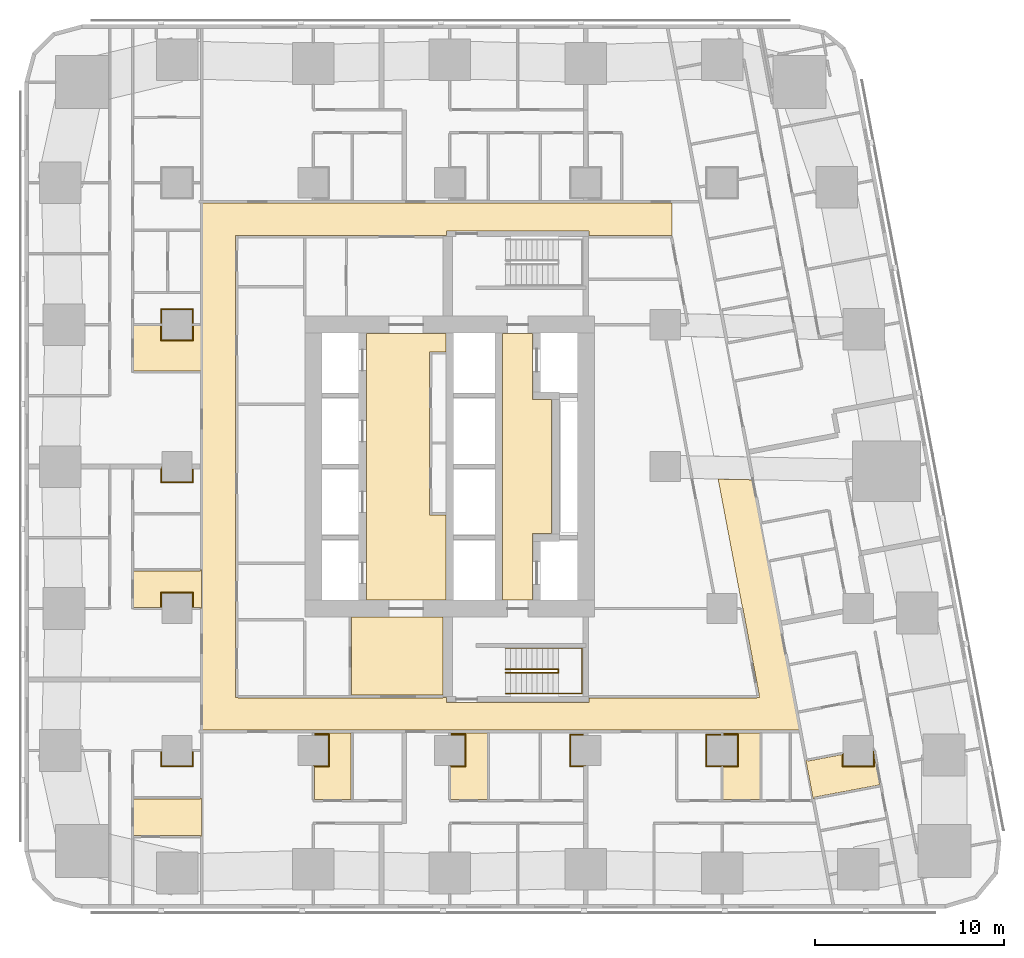
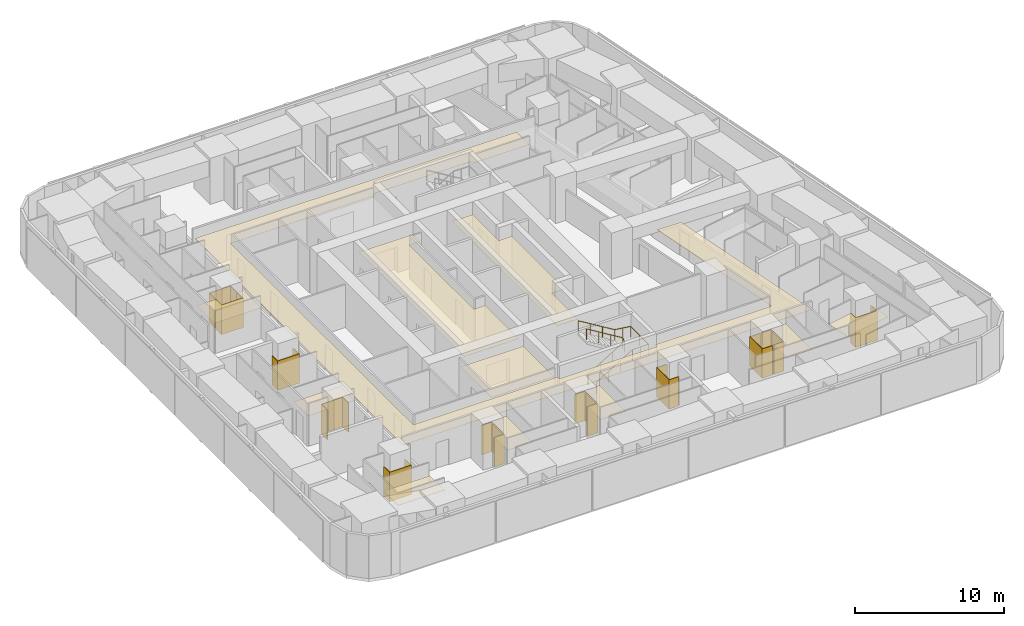
# One storey, part 15 of 17: 22 coverings, 2 railings.
"""IFC4 building model written with IfcOpenShell, lengths in metres."""

from ifc_helpers import new_model, si_unit, direction, frame, origin, origin_2d, place, context, subcontext, project, spatial, polyline, circle, outline, extrude, material, layer, layer_set, type_object, element, save


model = new_model("IFC4")

# Units and contexts
model_context = context("Model", 3, precision=1e-05, world=origin(), true_north=direction((0.0, 1.0)))
body_context = subcontext(model_context, "Body", "Model", "MODEL_VIEW")
ifc_project = project(units=[si_unit("LENGTHUNIT", "METRE"), si_unit("AREAUNIT", "SQUARE_METRE"), si_unit("VOLUMEUNIT", "CUBIC_METRE"), si_unit("PLANEANGLEUNIT", "RADIAN"), si_unit("MASSUNIT", "GRAM", prefix="KILO")], contexts=[model_context])

# Site, building, storey
site_placement = place(None, origin())
site = spatial("IfcSite", under=ifc_project, at=site_placement, CompositionType="ELEMENT")
building_placement = place(site_placement, origin())
building = spatial("IfcBuilding", under=site, at=building_placement, Name="Sheger Commons Tower", CompositionType="ELEMENT")
storey_placement = place(building_placement, frame((0.0, 0.0, 119.14990234375)))
storey = spatial("IfcBuildingStorey", under=building, at=storey_placement, Name="L30", CompositionType="ELEMENT", Elevation=119.14990234375)

# Railings
ifc_material_1 = material(Name="Steel handrail, black powder-coated", Category="steel")
railing_type = type_object("IfcRailingType", Name="HANDRAIL 900", PredefinedType="HANDRAIL", material=ifc_material_1)
railing_1_placement = place(storey_placement, frame((24.550048828125, 11.60009765625, 0.170654296875)))
element("IfcRailing", 1, at=railing_1_placement, inside=storey, type_object=railing_type, Name="Stair S1 handrail L30", PredefinedType="HANDRAIL", context=body_context, shape_type="SweptSolid", body=[
    extrude(circle(Radius=0.02392578125, at=origin_2d()), frame((0.0, 0.0, 0.8759765625), z_axis=(0.854202870247, 0.0, 0.519939858505), x_axis=(0.0, 1.0, 0.0)), (0.0, 0.0, 1.0), 3.278076171875),
    extrude(circle(Radius=0.02392578125, at=origin_2d()), frame((2.800048828125, 0.0, 2.580078125), z_axis=(0.0, 0.760631612298, 0.649183757016), x_axis=(-1.0, 0.0, 0.0)), (0.0, 0.0, 1.0), 0.262939453125),
    extrude(circle(Radius=0.02392578125, at=origin_2d()), frame((2.800048828125, 0.199951171875, 2.7509765625), z_axis=(-0.854202870247, 0.0, 0.519939858505), x_axis=(0.0, -1.0, 0.0)), (0.0, 0.0, 1.0), 3.278076171875),
    extrude(circle(Radius=0.02099609375, at=origin_2d()), origin(), (0.0, 0.0, 1.0), 0.851806640625),
    extrude(circle(Radius=0.02099609375, at=origin_2d()), frame((0.933349609375, 0.0, 0.568115234375)), (0.0, 0.0, 1.0), 0.851806640625),
    extrude(circle(Radius=0.02099609375, at=origin_2d()), frame((1.86669921875, 0.0, 1.13623046875)), (0.0, 0.0, 1.0), 0.851806640625),
    extrude(circle(Radius=0.02099609375, at=origin_2d()), frame((2.800048828125, 0.0, 1.704345703125)), (0.0, 0.0, 1.0), 0.851806640625),
    extrude(circle(Radius=0.02099609375, at=origin_2d()), frame((2.800048828125, 0.199951171875, 1.875)), (0.0, 0.0, 1.0), 0.851806640625),
    extrude(circle(Radius=0.02099609375, at=origin_2d()), frame((1.86669921875, 0.199951171875, 2.443115234375)), (0.0, 0.0, 1.0), 0.851806640625),
    extrude(circle(Radius=0.02099609375, at=origin_2d()), frame((0.933349609375, 0.199951171875, 3.01123046875)), (0.0, 0.0, 1.0), 0.851806640625),
    extrude(circle(Radius=0.02099609375, at=origin_2d()), frame((0.0, 0.199951171875, 3.579345703125)), (0.0, 0.0, 1.0), 0.851806640625),
])
railing_2_placement = place(storey_placement, frame((24.550048828125, 10.5, 0.170654296875)))
element("IfcRailing", 2, at=railing_2_placement, inside=storey, type_object=railing_type, Name="Stair S1 handrail L30", PredefinedType="HANDRAIL", context=body_context, shape_type="SweptSolid", body=[
    extrude(circle(Radius=0.02392578125, at=origin_2d()), frame((0.0, 0.0, 0.8759765625), z_axis=(0.854202870247, 0.0, 0.519939858505), x_axis=(0.0, 1.0, 0.0)), (0.0, 0.0, 1.0), 3.278076171875),
    extrude(circle(Radius=0.02392578125, at=origin_2d()), frame((2.800048828125, 0.0, 2.580078125), z_axis=(1.0, 0.0, 0.0), x_axis=(0.0, 1.0, 0.0)), (0.0, 0.0, 1.0), 1.25),
    extrude(circle(Radius=0.02392578125, at=origin_2d()), frame((4.050048828125, 0.0, 2.580078125), z_axis=(0.0, 1.0, 0.0), x_axis=(-1.0, 0.0, 0.0)), (0.0, 0.0, 1.0), 2.39990234375),
    extrude(circle(Radius=0.02392578125, at=origin_2d()), frame((4.050048828125, 2.39990234375, 2.580078125), z_axis=(-0.990808959222, 0.0, 0.135268645019), x_axis=(0.0, -1.0, 0.0)), (0.0, 0.0, 1.0), 1.261474609375),
    extrude(circle(Radius=0.02392578125, at=origin_2d()), frame((2.800048828125, 2.39990234375, 2.7509765625), z_axis=(-0.854202870247, 0.0, 0.519939858505), x_axis=(0.0, -1.0, 0.0)), (0.0, 0.0, 1.0), 3.278076171875),
    extrude(circle(Radius=0.02099609375, at=origin_2d()), origin(), (0.0, 0.0, 1.0), 0.851806640625),
    extrude(circle(Radius=0.02099609375, at=origin_2d()), frame((0.933349609375, 0.0, 0.568115234375)), (0.0, 0.0, 1.0), 0.851806640625),
    extrude(circle(Radius=0.02099609375, at=origin_2d()), frame((1.86669921875, 0.0, 1.13623046875)), (0.0, 0.0, 1.0), 0.851806640625),
    extrude(circle(Radius=0.02099609375, at=origin_2d()), frame((2.800048828125, 0.0, 1.704345703125)), (0.0, 0.0, 1.0), 0.851806640625),
    extrude(circle(Radius=0.02099609375, at=origin_2d()), frame((3.425048828125, 0.0, 1.704345703125)), (0.0, 0.0, 1.0), 0.851806640625),
    extrude(circle(Radius=0.02099609375, at=origin_2d()), frame((4.050048828125, 0.0, 1.704345703125)), (0.0, 0.0, 1.0), 0.851806640625),
    extrude(circle(Radius=0.02099609375, at=origin_2d()), frame((4.050048828125, 1.199951171875, 1.704345703125)), (0.0, 0.0, 1.0), 0.851806640625),
    extrude(circle(Radius=0.02099609375, at=origin_2d()), frame((4.050048828125, 2.39990234375, 1.704345703125)), (0.0, 0.0, 1.0), 0.851806640625),
    extrude(circle(Radius=0.02099609375, at=origin_2d()), frame((3.425048828125, 2.39990234375, 1.78955078125)), (0.0, 0.0, 1.0), 0.851806640625),
    extrude(circle(Radius=0.02099609375, at=origin_2d()), frame((2.800048828125, 2.39990234375, 1.875)), (0.0, 0.0, 1.0), 0.851806640625),
    extrude(circle(Radius=0.02099609375, at=origin_2d()), frame((1.86669921875, 2.39990234375, 2.443115234375)), (0.0, 0.0, 1.0), 0.851806640625),
    extrude(circle(Radius=0.02099609375, at=origin_2d()), frame((0.933349609375, 2.39990234375, 3.01123046875)), (0.0, 0.0, 1.0), 0.851806640625),
    extrude(circle(Radius=0.02099609375, at=origin_2d()), frame((0.0, 2.39990234375, 3.579345703125)), (0.0, 0.0, 1.0), 0.851806640625),
])

# Coverings
ifc_material_2 = material(Name="Moisture-resistant gypsum plasterboard 15 mm on a suspended galvanised steel grid", Category="steel")
ifc_layer_1 = layer(ifc_material_2, 0.014892578125)
ifc_layer_set_1 = layer_set([ifc_layer_1], Name="MOISTURE-RESISTANT CEILING 15")
covering_type_1 = type_object("IfcCoveringType", Name="MOISTURE-RESISTANT CEILING 15", PredefinedType="CEILING", material=ifc_layer_set_1)
covering_1_placement = place(storey_placement, frame((0.0, 0.0, 2.400146484375)))
element("IfcCovering", 3, at=covering_1_placement, inside=storey, type_object=covering_type_1, Name="L30-01.B2 ceiling", PredefinedType="CEILING", context=body_context, shape_type="SweptSolid", body=[
    extrude(outline(polyline([(8.429931640625, 2.948974609375), (8.5, 2.948974609375), (8.5, 4.9990234375), (8.429931640625, 4.9990234375), (8.429931640625, 4.944091796875), (4.905029296875, 4.944091796875), (4.905029296875, 3.00390625), (8.429931640625, 3.00390625), (8.429931640625, 2.948974609375)])), origin(), (0.0, 0.0, 1.0), 0.014892578125),
])
covering_2_placement = place(storey_placement, frame((0.0, 0.0, 2.400146484375)))
element("IfcCovering", 4, at=covering_2_placement, inside=storey, type_object=covering_type_1, Name="L30-02.B1 ceiling", PredefinedType="CEILING", context=body_context, shape_type="SweptSolid", body=[
    extrude(outline(polyline([(8.429931640625, 15.0), (8.5, 15.0), (8.5, 17.050048828125), (8.429931640625, 17.050048828125), (8.429931640625, 16.9951171875), (4.905029296875, 16.9951171875), (4.905029296875, 15.054931640625), (6.39501953125, 15.054931640625), (6.39501953125, 15.804931640625), (8.0048828125, 15.804931640625), (8.0048828125, 15.054931640625), (8.429931640625, 15.054931640625), (8.429931640625, 15.0)])), origin(), (0.0, 0.0, 1.0), 0.014892578125),
])
covering_3_placement = place(storey_placement, frame((0.0, 0.0, 2.400146484375)))
element("IfcCovering", 5, at=covering_3_placement, inside=storey, type_object=covering_type_1, Name="L30-03.B1 ceiling", PredefinedType="CEILING", context=body_context, shape_type="SweptSolid", body=[
    extrude(outline(polyline([(8.429931640625, 27.4990234375), (8.5, 27.4990234375), (8.5, 30.0), (8.429931640625, 30.0), (8.429931640625, 29.945068359375), (8.0048828125, 29.945068359375), (8.0048828125, 29.195068359375), (6.39501953125, 29.195068359375), (6.39501953125, 29.945068359375), (4.905029296875, 29.945068359375), (4.905029296875, 27.553955078125), (8.429931640625, 27.553955078125), (8.429931640625, 27.4990234375)])), origin(), (0.0, 0.0, 1.0), 0.014892578125),
])
covering_4_placement = place(storey_placement, frame((0.0, 0.0, 2.400146484375)))
element("IfcCovering", 6, at=covering_4_placement, inside=storey, type_object=covering_type_1, Name="L30-04.B1 ceiling", PredefinedType="CEILING", context=body_context, shape_type="SweptSolid", body=[
    extrude(outline(polyline([(14.455078125, 4.905029296875), (16.39501953125, 4.905029296875), (16.39501953125, 8.419921875), (14.455078125, 8.419921875), (14.455078125, 8.304931640625), (15.205078125, 8.304931640625), (15.205078125, 6.695068359375), (14.455078125, 6.695068359375), (14.455078125, 4.905029296875)])), origin(), (0.0, 0.0, 1.0), 0.014892578125),
])
covering_5_placement = place(storey_placement, frame((0.0, 0.0, 2.400146484375)))
element("IfcCovering", 7, at=covering_5_placement, inside=storey, type_object=covering_type_1, Name="L30-05.B1 ceiling", PredefinedType="CEILING", context=body_context, shape_type="SweptSolid", body=[
    extrude(outline(polyline([(21.655029296875, 4.905029296875), (23.594970703125, 4.905029296875), (23.594970703125, 8.419921875), (21.655029296875, 8.419921875), (21.655029296875, 8.304931640625), (22.405029296875, 8.304931640625), (22.405029296875, 6.695068359375), (21.655029296875, 6.695068359375), (21.655029296875, 4.905029296875)])), origin(), (0.0, 0.0, 1.0), 0.014892578125),
])
covering_6_placement = place(storey_placement, frame((0.0, 0.0, 2.400146484375)))
element("IfcCovering", 8, at=covering_6_placement, inside=storey, type_object=covering_type_1, Name="L30-06.B2 ceiling", PredefinedType="CEILING", context=body_context, shape_type="SweptSolid", body=[
    extrude(outline(polyline([(36.054931640625, 4.905029296875), (37.9951171875, 4.905029296875), (37.9951171875, 8.419921875), (36.054931640625, 8.419921875), (36.054931640625, 8.304931640625), (36.804931640625, 8.304931640625), (36.804931640625, 6.695068359375), (36.054931640625, 6.695068359375), (36.054931640625, 4.905029296875)])), origin(), (0.0, 0.0, 1.0), 0.014892578125),
])
covering_7_placement = place(storey_placement, frame((0.0, 0.0, 2.400146484375)))
element("IfcCovering", 9, at=covering_7_placement, inside=storey, type_object=covering_type_1, Name="L30-09.B2 ceiling", PredefinedType="CEILING", context=body_context, shape_type="SweptSolid", body=[
    extrude(outline(polyline([(40.81201171875, 4.962890625), (40.881103515625, 4.97607421875), (40.87109375, 5.030029296875), (44.333984375, 5.68408203125), (44.007080078125, 7.416015625), (44.0048828125, 7.416015625), (44.0048828125, 6.695068359375), (42.39501953125, 6.695068359375), (42.39501953125, 7.2919921875), (40.510009765625, 6.93603515625), (40.5, 6.990966796875), (40.431884765625, 6.97802734375), (40.81201171875, 4.962890625)])), origin(), (0.0, 0.0, 1.0), 0.014892578125),
])
ifc_material_3 = material(Name="Gypsum plasterboard 15 mm on a suspended steel grid", Category="steel")
ifc_layer_2 = layer(ifc_material_3, 0.014892578125)
ifc_layer_set_2 = layer_set([ifc_layer_2], Name="SUSPENDED CEILING 15")
covering_type_2 = type_object("IfcCoveringType", Name="SUSPENDED CEILING 15", PredefinedType="CEILING", material=ifc_layer_set_2)
covering_8_placement = place(storey_placement, frame((0.0, 0.0, 2.7001953125)))
element("IfcCovering", 10, at=covering_8_placement, inside=storey, type_object=covering_type_2, Name="L30-CO ceiling", PredefinedType="CEILING", context=body_context, shape_type="SweptSolid", body=[
    extrude(outline(polyline([(40.05810546875, 8.5), (40.14404296875, 8.5), (37.632080078125, 21.801025390625), (35.79296875, 21.837890625), (37.08203125, 15.013916015625), (37.09912109375, 15.01708984375), (37.967041015625, 10.4208984375), (37.949951171875, 10.4169921875), (37.971923828125, 10.300048828125), (37.841064453125, 10.300048828125), (37.841064453125, 10.281982421875), (28.955078125, 10.281982421875), (28.955078125, 10.044921875), (21.445068359375, 10.044921875), (21.445068359375, 10.300048828125), (21.2548828125, 10.300048828125), (21.2548828125, 10.281982421875), (10.407958984375, 10.281982421875), (10.407958984375, 10.294921875), (10.281982421875, 10.294921875), (10.281982421875, 34.705078125), (10.407958984375, 34.705078125), (10.407958984375, 34.718017578125), (21.2548828125, 34.718017578125), (21.2548828125, 34.699951171875), (21.445068359375, 34.699951171875), (21.445068359375, 34.955078125), (28.955078125, 34.955078125), (28.955078125, 34.718017578125), (33.3359375, 34.718017578125), (33.3359375, 34.699951171875), (33.361083984375, 34.699951171875), (33.361083984375, 36.419921875), (8.5, 36.419921875), (8.5, 8.580078125), (40.05810546875, 8.580078125), (40.05810546875, 8.5)])), origin(), (0.0, 0.0, 1.0), 0.014892578125),
])
covering_9_placement = place(storey_placement, frame((0.0, 0.0, 2.7001953125)))
element("IfcCovering", 11, at=covering_9_placement, inside=storey, type_object=covering_type_2, Name="L30-SVS1 ceiling", PredefinedType="CEILING", context=body_context, shape_type="SweptSolid", body=[
    extrude(outline(polyline([(16.406982421875, 10.41796875), (21.2451171875, 10.41796875), (21.2451171875, 14.544921875), (16.406982421875, 14.544921875), (16.406982421875, 10.41796875)])), origin(), (0.0, 0.0, 1.0), 0.014892578125),
])
covering_10_placement = place(storey_placement, frame((0.0, 0.0, 2.7001953125)))
element("IfcCovering", 12, at=covering_10_placement, inside=storey, type_object=covering_type_2, Name="L30-LL ceiling", PredefinedType="CEILING", context=body_context, shape_type="SweptSolid", body=[
    extrude(outline(polyline([(17.205078125, 15.455078125), (21.39990234375, 15.455078125), (21.39990234375, 19.93310546875), (20.657958984375, 19.93310546875), (20.532958984375, 19.93310546875), (20.532958984375, 28.56689453125), (20.657958984375, 28.56689453125), (21.39990234375, 28.56689453125), (21.39990234375, 29.544921875), (17.205078125, 29.544921875), (17.205078125, 15.455078125)])), origin(), (0.0, 0.0, 1.0), 0.014892578125),
])
covering_11_placement = place(storey_placement, frame((0.0, 0.0, 2.7001953125)))
element("IfcCovering", 13, at=covering_11_placement, inside=storey, type_object=covering_type_2, Name="L30-FL ceiling", PredefinedType="CEILING", context=body_context, shape_type="SweptSolid", body=[
    extrude(outline(polyline([(24.405029296875, 15.455078125), (25.9951171875, 15.455078125), (25.9951171875, 18.955078125), (26.9951171875, 18.955078125), (26.9951171875, 26.044921875), (25.9951171875, 26.044921875), (25.9951171875, 29.544921875), (24.405029296875, 29.544921875), (24.405029296875, 15.455078125)])), origin(), (0.0, 0.0, 1.0), 0.014892578125),
])
ifc_material_4 = material(Name="Moisture-resistant gypsum board 12.5 mm on 25 mm treated timber battens, tanked and tiled", Category="wood")
ifc_layer_3 = layer(ifc_material_4, 0.050048828125)
ifc_layer_set_3 = layer_set([ifc_layer_3], Name="WET-ROOM COLUMN LINING")
covering_type_3 = type_object("IfcCoveringType", Name="WET-ROOM COLUMN LINING", PredefinedType="CLADDING", material=ifc_layer_set_3)
covering_12_placement = place(storey_placement, origin())
element("IfcCovering", 14, at=covering_12_placement, inside=storey, type_object=covering_type_3, Name="Store and laundry column lining C9 L30", PredefinedType="CLADDING", context=body_context, shape_type="SweptSolid", body=[
    extrude(outline(polyline([(6.39990234375, 7.5), (6.39990234375, 6.699951171875), (8.0, 6.699951171875), (8.0, 7.5), (8.0009765625, 7.5), (8.0009765625, 7.449951171875), (8.050048828125, 7.449951171875), (8.050048828125, 6.64990234375), (6.35009765625, 6.64990234375), (6.35009765625, 7.449951171875), (6.39892578125, 7.449951171875), (6.39892578125, 7.5), (6.39990234375, 7.5)])), origin(), (0.0, 0.0, 1.0), 2.400146484375),
])
covering_13_placement = place(storey_placement, origin())
element("IfcCovering", 15, at=covering_13_placement, inside=storey, type_object=covering_type_3, Name="Bathroom column lining C9 L30", PredefinedType="CLADDING", context=body_context, shape_type="SweptSolid", body=[
    extrude(outline(polyline([(15.25, 6.64990234375), (14.449951171875, 6.64990234375), (14.449951171875, 6.698974609375), (14.39990234375, 6.698974609375), (14.39990234375, 6.699951171875), (15.199951171875, 6.699951171875), (15.199951171875, 8.300048828125), (14.39990234375, 8.300048828125), (14.39990234375, 8.301025390625), (14.449951171875, 8.301025390625), (14.449951171875, 8.35009765625), (15.25, 8.35009765625), (15.25, 6.64990234375)])), origin(), (0.0, 0.0, 1.0), 2.400146484375),
])
covering_14_placement = place(storey_placement, origin())
element("IfcCovering", 16, at=covering_14_placement, inside=storey, type_object=covering_type_3, Name="Bathroom column lining C9 L30", PredefinedType="CLADDING", context=body_context, shape_type="SweptSolid", body=[
    extrude(outline(polyline([(22.449951171875, 6.64990234375), (21.64990234375, 6.64990234375), (21.64990234375, 6.698974609375), (21.60009765625, 6.698974609375), (21.60009765625, 6.699951171875), (22.39990234375, 6.699951171875), (22.39990234375, 8.300048828125), (21.60009765625, 8.300048828125), (21.60009765625, 8.301025390625), (21.64990234375, 8.301025390625), (21.64990234375, 8.35009765625), (22.449951171875, 8.35009765625), (22.449951171875, 6.64990234375)])), origin(), (0.0, 0.0, 1.0), 2.400146484375),
])
covering_15_placement = place(storey_placement, origin())
element("IfcCovering", 17, at=covering_15_placement, inside=storey, type_object=covering_type_3, Name="Laundry room column lining C9 L30", PredefinedType="CLADDING", context=body_context, shape_type="SweptSolid", body=[
    extrude(outline(polyline([(28.675048828125, 8.35009765625), (28.675048828125, 8.301025390625), (28.800048828125, 8.301025390625), (28.800048828125, 8.300048828125), (28.0, 8.300048828125), (28.0, 6.699951171875), (28.800048828125, 6.699951171875), (28.800048828125, 6.698974609375), (28.675048828125, 6.698974609375), (28.675048828125, 6.64990234375), (27.949951171875, 6.64990234375), (27.949951171875, 8.35009765625), (28.675048828125, 8.35009765625)])), origin(), (0.0, 0.0, 1.0), 2.400146484375),
])
covering_16_placement = place(storey_placement, origin())
element("IfcCovering", 18, at=covering_16_placement, inside=storey, type_object=covering_type_3, Name="Laundry room column lining C9 L30", PredefinedType="CLADDING", context=body_context, shape_type="SweptSolid", body=[
    extrude(outline(polyline([(35.949951171875, 8.35009765625), (35.949951171875, 8.301025390625), (36.0, 8.301025390625), (36.0, 8.300048828125), (35.199951171875, 8.300048828125), (35.199951171875, 6.699951171875), (36.0, 6.699951171875), (36.0, 6.698974609375), (35.949951171875, 6.698974609375), (35.949951171875, 6.64990234375), (35.14990234375, 6.64990234375), (35.14990234375, 8.35009765625), (35.949951171875, 8.35009765625)])), origin(), (0.0, 0.0, 1.0), 2.400146484375),
])
covering_17_placement = place(storey_placement, origin())
element("IfcCovering", 19, at=covering_17_placement, inside=storey, type_object=covering_type_3, Name="Bathroom column lining C9 L30", PredefinedType="CLADDING", context=body_context, shape_type="SweptSolid", body=[
    extrude(outline(polyline([(36.85009765625, 6.64990234375), (36.050048828125, 6.64990234375), (36.050048828125, 6.698974609375), (36.0, 6.698974609375), (36.0, 6.699951171875), (36.800048828125, 6.699951171875), (36.800048828125, 8.300048828125), (36.0, 8.300048828125), (36.0, 8.301025390625), (36.050048828125, 8.301025390625), (36.050048828125, 8.35009765625), (36.85009765625, 8.35009765625), (36.85009765625, 6.64990234375)])), origin(), (0.0, 0.0, 1.0), 2.400146484375),
])
covering_18_placement = place(storey_placement, origin())
element("IfcCovering", 20, at=covering_18_placement, inside=storey, type_object=covering_type_3, Name="Bathroom column lining C9 L30", PredefinedType="CLADDING", context=body_context, shape_type="SweptSolid", body=[
    extrude(outline(polyline([(42.39990234375, 7.35009765625), (42.39990234375, 6.699951171875), (44.0, 6.699951171875), (44.0, 7.48095703125), (44.050048828125, 7.216064453125), (44.050048828125, 6.64990234375), (42.35009765625, 6.64990234375), (42.35009765625, 7.2890625), (42.39892578125, 7.298095703125), (42.389892578125, 7.347900390625), (42.39990234375, 7.35009765625)])), origin(), (0.0, 0.0, 1.0), 2.400146484375),
])
covering_19_placement = place(storey_placement, origin())
element("IfcCovering", 21, at=covering_19_placement, inside=storey, type_object=covering_type_3, Name="Bathroom column lining C9 L30", PredefinedType="CLADDING", context=body_context, shape_type="SweptSolid", body=[
    extrude(outline(polyline([(8.050048828125, 15.85009765625), (8.050048828125, 15.050048828125), (8.0009765625, 15.050048828125), (8.0009765625, 15.0), (8.0, 15.0), (8.0, 15.800048828125), (6.39990234375, 15.800048828125), (6.39990234375, 15.0), (6.39892578125, 15.0), (6.39892578125, 15.050048828125), (6.35009765625, 15.050048828125), (6.35009765625, 15.85009765625), (8.050048828125, 15.85009765625)])), origin(), (0.0, 0.0, 1.0), 2.400146484375),
])
covering_20_placement = place(storey_placement, origin())
element("IfcCovering", 22, at=covering_20_placement, inside=storey, type_object=covering_type_3, Name="Store and laundry column lining C9 L30", PredefinedType="CLADDING", context=body_context, shape_type="SweptSolid", body=[
    extrude(outline(polyline([(6.39990234375, 22.5), (6.39990234375, 21.699951171875), (8.0, 21.699951171875), (8.0, 22.5), (8.0009765625, 22.5), (8.0009765625, 22.375), (8.050048828125, 22.375), (8.050048828125, 21.64990234375), (6.35009765625, 21.64990234375), (6.35009765625, 22.375), (6.39892578125, 22.375), (6.39892578125, 22.5), (6.39990234375, 22.5)])), origin(), (0.0, 0.0, 1.0), 2.400146484375),
])
covering_21_placement = place(storey_placement, origin())
element("IfcCovering", 23, at=covering_21_placement, inside=storey, type_object=covering_type_3, Name="Bathroom column lining C9 L30", PredefinedType="CLADDING", context=body_context, shape_type="SweptSolid", body=[
    extrude(outline(polyline([(6.39990234375, 30.0), (6.39990234375, 29.199951171875), (8.0, 29.199951171875), (8.0, 30.0), (8.0009765625, 30.0), (8.0009765625, 29.949951171875), (8.050048828125, 29.949951171875), (8.050048828125, 29.14990234375), (6.35009765625, 29.14990234375), (6.35009765625, 29.949951171875), (6.39892578125, 29.949951171875), (6.39892578125, 30.0), (6.39990234375, 30.0)])), origin(), (0.0, 0.0, 1.0), 2.400146484375),
])
covering_22_placement = place(storey_placement, origin())
element("IfcCovering", 24, at=covering_22_placement, inside=storey, type_object=covering_type_3, Name="Laundry room column lining C9 L30", PredefinedType="CLADDING", context=body_context, shape_type="SweptSolid", body=[
    extrude(outline(polyline([(8.050048828125, 30.85009765625), (8.050048828125, 30.050048828125), (8.0009765625, 30.050048828125), (8.0009765625, 30.0), (8.0, 30.0), (8.0, 30.800048828125), (6.39990234375, 30.800048828125), (6.39990234375, 30.0), (6.39892578125, 30.0), (6.39892578125, 30.050048828125), (6.35009765625, 30.050048828125), (6.35009765625, 30.85009765625), (8.050048828125, 30.85009765625)])), origin(), (0.0, 0.0, 1.0), 2.400146484375),
])

save(model, "model.ifc")
